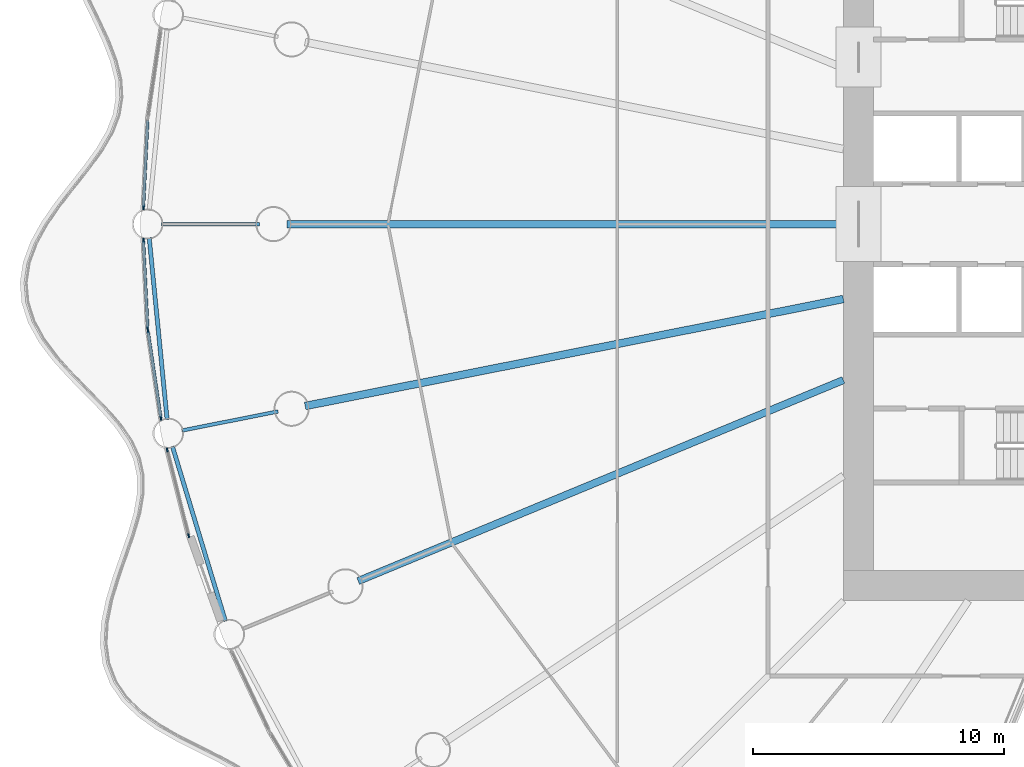
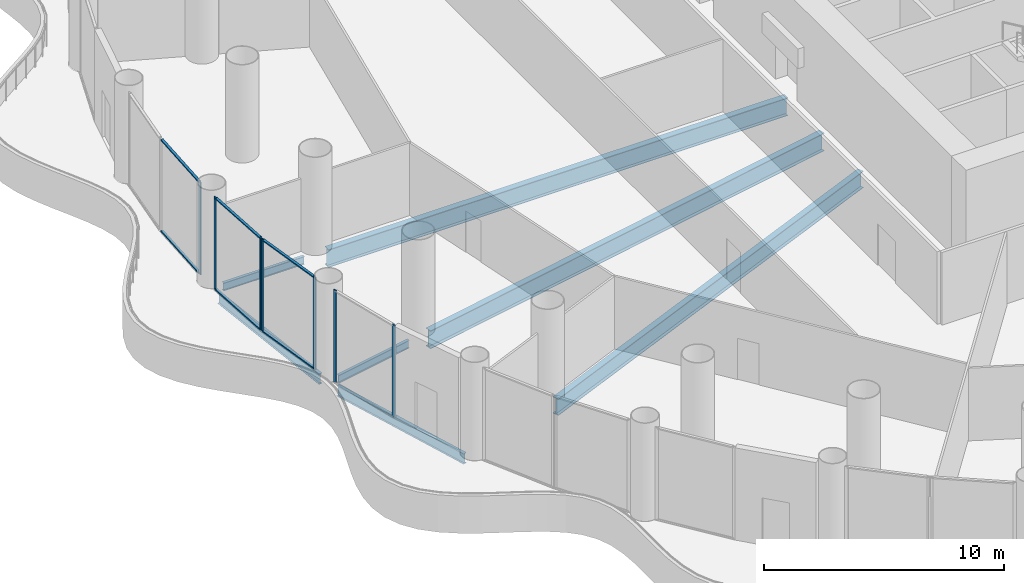
# One storey, part 7 of 36: 13 members, 7 beams, 4 elements without a shape of their own.
"""IFC4 building model written with IfcOpenShell, lengths in metres."""

from ifc_helpers import new_model, si_unit, direction, frame, origin, origin_2d, place, context, subcontext, project, spatial, rectangle, i_section, extrude, material, material_profile, profile_set, type_object, element, aggregate, save


model = new_model("IFC4")

# Units and contexts
model_context = context("Model", 3, precision=1e-05, world=origin(), true_north=direction((0.0, 1.0)))
body_context = subcontext(model_context, "Body", "Model", "MODEL_VIEW")
ifc_project = project(units=[si_unit("LENGTHUNIT", "METRE"), si_unit("AREAUNIT", "SQUARE_METRE"), si_unit("VOLUMEUNIT", "CUBIC_METRE"), si_unit("PLANEANGLEUNIT", "RADIAN"), si_unit("MASSUNIT", "GRAM", prefix="KILO")], contexts=[model_context])

# Site, building, storey
site_placement = place(None, origin())
site = spatial("IfcSite", under=ifc_project, at=site_placement, CompositionType="ELEMENT")
building_placement = place(site_placement, origin())
building = spatial("IfcBuilding", under=site, at=building_placement, Name="Corvane Civic Tower", CompositionType="ELEMENT")
storey_placement = place(building_placement, frame((0.0, 0.0, 17.0)))
storey = spatial("IfcBuildingStorey", under=building, at=storey_placement, Name="L03", CompositionType="ELEMENT", Elevation=17.0)

# Beams
ifc_material_1 = material(Name="Steel ASTM A992 Gr 50", Category="steel")
ifc_material_profile_1 = material_profile(ifc_material_1, i_section(OverallWidth=0.165771484375, OverallDepth=0.5283203125, WebThickness=0.009765625, FlangeThickness=0.013671875, at=origin_2d()), Name="W21X50")
ifc_profile_set_1 = profile_set([ifc_material_profile_1], Name="Steel ASTM A992 Gr 50")
beam_type_1 = type_object("IfcBeamType", Name="EDGE BEAM W21X50", PredefinedType="BEAM", material=ifc_profile_set_1)
for number, where, z_axis, x_axis, name in (
    (1, (-39.609375, -15.814208984375, -0.564208984375), (-0.290291633127, 0.956938225664, 0.0), (-0.956938225664, -0.290291633127, 0.0), "BM-L03-E23"),
    (2, (-41.93359375, -7.782958984375, -0.564208984375), (-0.097984225478, 0.995187967953, 0.0), (-0.995187967953, -0.097984225478, 0.0), "BM-L03-E24"),
):
    element("IfcBeam", number, at=place(storey_placement, frame(where, z_axis=z_axis, x_axis=x_axis)), inside=storey, type_object=beam_type_1, Name=name, PredefinedType="BEAM", context=body_context, shape_type="SweptSolid", body=[
        extrude(i_section(OverallWidth=0.165771484375, OverallDepth=0.5283203125, WebThickness=0.009765625, FlangeThickness=0.013671875, at=origin_2d()), origin(), (0.0, 0.0, 1.0), 7.2705078125),
    ])
ifc_material_2 = material(Name="Steel ASTM A992 Gr 50", Category="steel")
ifc_material_profile_2 = material_profile(ifc_material_2, i_section(OverallWidth=0.140380859375, OverallDepth=0.40380859375, WebThickness=0.007080078125, FlangeThickness=0.01123046875, at=origin_2d()), Name="W16X31")
ifc_profile_set_2 = profile_set([ifc_material_profile_2], Name="Steel ASTM A992 Gr 50")
beam_type_2 = type_object("IfcBeamType", Name="FLOOR GIRDER W16X31", PredefinedType="BEAM", material=ifc_profile_set_2)
for number, where, z_axis, x_axis, name in (
    (3, (-37.51513671875, -7.462158203125, -0.501953125), (-0.980777614264, -0.195128858343, 0.0), (0.195128858343, -0.980777614264, 0.0), "BM-L03-G24b"),
    (4, (-38.25, 0.0, -0.501953125), (-1.0, 0.0, 0.0), (0.0, -1.0, 0.0), "BM-L03-G25b"),
):
    element("IfcBeam", number, at=place(storey_placement, frame(where, z_axis=z_axis, x_axis=x_axis)), inside=storey, type_object=beam_type_2, Name=name, PredefinedType="BEAM", context=body_context, shape_type="SweptSolid", body=[
        extrude(i_section(OverallWidth=0.140380859375, OverallDepth=0.40380859375, WebThickness=0.007080078125, FlangeThickness=0.01123046875, at=origin_2d()), origin(), (0.0, 0.0, 1.0), 3.89990234375),
    ])
ifc_material_3 = material(Name="Steel ASTM A992 Gr 50", Category="steel")
ifc_material_profile_3 = material_profile(ifc_material_3, i_section(OverallWidth=0.2919921875, OverallDepth=0.845703125, WebThickness=0.015380859375, FlangeThickness=0.0244140625, at=origin_2d()), Name="W33X141")
ifc_profile_set_3 = profile_set([ifc_material_profile_3], Name="Steel ASTM A992 Gr 50")
beam_type_3 = type_object("IfcBeamType", Name="FLOOR GIRDER W33X141", PredefinedType="BEAM", material=ifc_profile_set_3)
beam_1_placement = place(storey_placement, frame((-15.0, -6.213134765625, -0.722900390625), z_axis=(-0.923875834355, -0.382692360381, 0.0), x_axis=(0.382692360381, -0.923875834355, 0.0)))
element("IfcBeam", 5, at=beam_1_placement, inside=storey, type_object=beam_type_3, Name="BM-L03-G23", PredefinedType="BEAM", context=body_context, shape_type="SweptSolid", body=[
    extrude(i_section(OverallWidth=0.2919921875, OverallDepth=0.845703125, WebThickness=0.015380859375, FlangeThickness=0.0244140625, at=origin_2d()), origin(), (0.0, 0.0, 1.0), 20.9140625),
])
ifc_material_4 = material(Name="Steel ASTM A992 Gr 50", Category="steel")
ifc_material_profile_4 = material_profile(ifc_material_4, i_section(OverallWidth=0.3046875, OverallDepth=0.911865234375, WebThickness=0.015869140625, FlangeThickness=0.02392578125, at=origin_2d()), Name="W36X150")
ifc_profile_set_4 = profile_set([ifc_material_profile_4], Name="Steel ASTM A992 Gr 50")
beam_type_4 = type_object("IfcBeamType", Name="FLOOR GIRDER W36X150", PredefinedType="BEAM", material=ifc_profile_set_4)
beam_2_placement = place(storey_placement, frame((-15.0, -2.983642578125, -0.755859375), z_axis=(-0.980785499679, -0.195089219638, 0.0), x_axis=(0.195089219638, -0.980785499679, 0.0)))
element("IfcBeam", 6, at=beam_2_placement, inside=storey, type_object=beam_type_4, Name="BM-L03-G24", PredefinedType="BEAM", context=body_context, shape_type="SweptSolid", body=[
    extrude(i_section(OverallWidth=0.3046875, OverallDepth=0.911865234375, WebThickness=0.015869140625, FlangeThickness=0.02392578125, at=origin_2d()), origin(), (0.0, 0.0, 1.0), 21.856201171875),
])
beam_3_placement = place(storey_placement, frame((-15.0, 0.0, -0.755859375), z_axis=(-1.0, 0.0, 0.0), x_axis=(0.0, -1.0, 0.0)))
element("IfcBeam", 7, at=beam_3_placement, inside=storey, type_object=beam_type_4, Name="BM-L03-G25", PredefinedType="BEAM", context=body_context, shape_type="SweptSolid", body=[
    extrude(i_section(OverallWidth=0.3046875, OverallDepth=0.911865234375, WebThickness=0.015869140625, FlangeThickness=0.02392578125, at=origin_2d()), origin(), (0.0, 0.0, 1.0), 22.14990234375),
])

# Curtain wall, members
ifc_material_5 = material(Name="Aluminium and glass", Category="aluminium")
curtain_wall_type = type_object("IfcCurtainWallType", Name="PODIUM-CW-P-RUN", PredefinedType="NOTDEFINED", material=ifc_material_5)
curtain_wall_1_placement = place(storey_placement, origin())
curtain_wall_1 = element("IfcCurtainWall", 8, at=curtain_wall_1_placement, inside=storey, type_object=curtain_wall_type, Name="PODI run L03-drum-23B", PredefinedType="NOTDEFINED")
ifc_material_6 = material(Name="Anodised aluminium bronze", Category="aluminium")
ifc_material_profile_5 = material_profile(ifc_material_6, rectangle(XDim=0.06005859375, YDim=0.159912109375, at=origin_2d()), Name="AL 60x160")
ifc_profile_set_5 = profile_set([ifc_material_profile_5], Name="Anodised aluminium bronze")
member_type_1 = type_object("IfcMemberType", Name="PODIUM-CWP-MULLION-60x160", PredefinedType="MULLION", material=ifc_profile_set_5)
member_1_placement = place(storey_placement, frame((-41.0732421875, -12.411865234375, 0.0), z_axis=(0.0, 0.0, 1.0), x_axis=(-0.970024070659, -0.243008852393, 0.0)))
member_1 = element("IfcMember", 9, at=member_1_placement, type_object=member_type_1, Name="CW-P mullion 1", PredefinedType="MULLION", context=body_context, shape_type="SweptSolid", body=[
    extrude(rectangle(XDim=0.06005859375, YDim=0.159912109375, at=origin_2d()), origin(), (0.0, 0.0, 1.0), 4.699951171875),
])
member_2_placement = place(storey_placement, frame((-41.9287109375, -8.99755859375, 0.0), z_axis=(0.0, 0.0, 1.0), x_axis=(-0.970024070659, -0.243008852393, 0.0)))
member_2 = element("IfcMember", 10, at=member_2_placement, type_object=member_type_1, Name="CW-P mullion 2", PredefinedType="MULLION", context=body_context, shape_type="SweptSolid", body=[
    extrude(rectangle(XDim=0.06005859375, YDim=0.159912109375, at=origin_2d()), origin(), (0.0, 0.0, 1.0), 4.699951171875),
])
aggregate(curtain_wall_1, [member_1, member_2])

curtain_wall_2_placement = place(storey_placement, origin())
curtain_wall_2 = element("IfcCurtainWall", 11, at=curtain_wall_2_placement, inside=storey, type_object=curtain_wall_type, Name="PODI run L03-drum-24A", PredefinedType="NOTDEFINED")
member_3_placement = place(storey_placement, frame((-42.18017578125, -7.732666015625, 0.0), z_axis=(0.0, 0.0, 1.0), x_axis=(-0.989178850608, -0.146714694252, 0.0)))
member_3 = element("IfcMember", 12, at=member_3_placement, type_object=member_type_1, Name="CW-P mullion 1", PredefinedType="MULLION", context=body_context, shape_type="SweptSolid", body=[
    extrude(rectangle(XDim=0.06005859375, YDim=0.159912109375, at=origin_2d()), origin(), (0.0, 0.0, 1.0), 4.699951171875),
])
member_4_placement = place(storey_placement, frame((-42.696533203125, -4.2509765625, 0.0), z_axis=(0.0, 0.0, 1.0), x_axis=(-0.989178850608, -0.146714694252, 0.0)))
member_4 = element("IfcMember", 13, at=member_4_placement, type_object=member_type_1, Name="CW-P mullion 2", PredefinedType="MULLION", context=body_context, shape_type="SweptSolid", body=[
    extrude(rectangle(XDim=0.06005859375, YDim=0.159912109375, at=origin_2d()), origin(), (0.0, 0.0, 1.0), 4.699951171875),
])

curtain_wall_3_placement = place(storey_placement, origin())
curtain_wall_3 = element("IfcCurtainWall", 14, at=curtain_wall_3_placement, inside=storey, type_object=curtain_wall_type, Name="PODI run L03-drum-24B", PredefinedType="NOTDEFINED")
member_5_placement = place(storey_placement, frame((-42.70556640625, -4.16064453125, 0.0), z_axis=(0.0, 0.0, 1.0), x_axis=(-0.998796316803, -0.04905015332, 0.0)))
member_5 = element("IfcMember", 15, at=member_5_placement, type_object=member_type_1, Name="CW-P mullion 1", PredefinedType="MULLION", context=body_context, shape_type="SweptSolid", body=[
    extrude(rectangle(XDim=0.06005859375, YDim=0.159912109375, at=origin_2d()), origin(), (0.0, 0.0, 1.0), 4.699951171875),
])
member_6_placement = place(storey_placement, frame((-42.878173828125, -0.644775390625, 0.0), z_axis=(0.0, 0.0, 1.0), x_axis=(-0.998796316803, -0.04905015332, 0.0)))
member_6 = element("IfcMember", 16, at=member_6_placement, type_object=member_type_1, Name="CW-P mullion 2", PredefinedType="MULLION", context=body_context, shape_type="SweptSolid", body=[
    extrude(rectangle(XDim=0.06005859375, YDim=0.159912109375, at=origin_2d()), origin(), (0.0, 0.0, 1.0), 4.699951171875),
])

# Curtain wall, member
curtain_wall_4_placement = place(storey_placement, origin())
curtain_wall_4 = element("IfcCurtainWall", 17, at=curtain_wall_4_placement, inside=storey, type_object=curtain_wall_type, Name="PODI run L03-drum-25A", PredefinedType="NOTDEFINED")
member_7_placement = place(storey_placement, frame((-42.878173828125, 0.644775390625, 0.0), z_axis=(0.0, 0.0, 1.0), x_axis=(-0.998796316803, 0.04905015332, 0.0)))
member_7 = element("IfcMember", 18, at=member_7_placement, type_object=member_type_1, Name="CW-P mullion 1", PredefinedType="MULLION", context=body_context, shape_type="SweptSolid", body=[
    extrude(rectangle(XDim=0.06005859375, YDim=0.159912109375, at=origin_2d()), origin(), (0.0, 0.0, 1.0), 4.699951171875),
])

# Member
ifc_material_7 = material(Name="Anodised aluminium bronze", Category="aluminium")
ifc_material_profile_6 = material_profile(ifc_material_7, rectangle(XDim=0.1201171875, YDim=0.06005859375, at=origin_2d()), Name="AL 120x60")
ifc_profile_set_6 = profile_set([ifc_material_profile_6], Name="Anodised aluminium bronze")
member_type_2 = type_object("IfcMemberType", Name="PODIUM-CWP-TRANSOM-60x120", PredefinedType="USERDEFINED", material=ifc_profile_set_6)
member_8_placement = place(storey_placement, frame((-42.1845703125, -7.703125, 0.030029296875), z_axis=(-0.146704660039, 0.989180338828, 0.0), x_axis=(-0.989180338828, -0.146704660039, 0.0)))
member_8 = element("IfcMember", 19, at=member_8_placement, type_object=member_type_2, Name="CW-P transom 1.1", ObjectType="TRANSOM", PredefinedType="USERDEFINED", context=body_context, shape_type="SweptSolid", body=[
    extrude(rectangle(XDim=0.1201171875, YDim=0.06005859375, at=origin_2d()), origin(), (0.0, 0.0, 1.0), 3.459716796875),
])

member_9_placement = place(storey_placement, frame((-42.1845703125, -7.703125, 4.669921875), z_axis=(-0.146704660039, 0.989180338828, 0.0), x_axis=(-0.989180338828, -0.146704660039, 0.0)))
member_9 = element("IfcMember", 20, at=member_9_placement, type_object=member_type_2, Name="CW-P transom 1.2", ObjectType="TRANSOM", PredefinedType="USERDEFINED", context=body_context, shape_type="SweptSolid", body=[
    extrude(rectangle(XDim=0.1201171875, YDim=0.06005859375, at=origin_2d()), origin(), (0.0, 0.0, 1.0), 3.459716796875),
])

aggregate(curtain_wall_2, [member_3, member_4, member_8, member_9])

member_10_placement = place(storey_placement, frame((-42.70703125, -4.130615234375, 0.030029296875), z_axis=(-0.049040182301, 0.998796806423, 0.0), x_axis=(-0.998796806423, -0.049040182301, 0.0)))
member_10 = element("IfcMember", 21, at=member_10_placement, type_object=member_type_2, Name="CW-P transom 1.1", ObjectType="TRANSOM", PredefinedType="USERDEFINED", context=body_context, shape_type="SweptSolid", body=[
    extrude(rectangle(XDim=0.1201171875, YDim=0.06005859375, at=origin_2d()), origin(), (0.0, 0.0, 1.0), 3.4599609375),
])

member_11_placement = place(storey_placement, frame((-42.70703125, -4.130615234375, 4.669921875), z_axis=(-0.049040182301, 0.998796806423, 0.0), x_axis=(-0.998796806423, -0.049040182301, 0.0)))
member_11 = element("IfcMember", 22, at=member_11_placement, type_object=member_type_2, Name="CW-P transom 1.2", ObjectType="TRANSOM", PredefinedType="USERDEFINED", context=body_context, shape_type="SweptSolid", body=[
    extrude(rectangle(XDim=0.1201171875, YDim=0.06005859375, at=origin_2d()), origin(), (0.0, 0.0, 1.0), 3.4599609375),
])

aggregate(curtain_wall_3, [member_5, member_6, member_10, member_11])

member_12_placement = place(storey_placement, frame((-42.876708984375, 0.6748046875, 0.030029296875), z_axis=(0.049040182301, 0.998796806423, 0.0), x_axis=(-0.998796806423, 0.049040182301, 0.0)))
member_12 = element("IfcMember", 23, at=member_12_placement, type_object=member_type_2, Name="CW-P transom 1.1", ObjectType="TRANSOM", PredefinedType="USERDEFINED", context=body_context, shape_type="SweptSolid", body=[
    extrude(rectangle(XDim=0.1201171875, YDim=0.06005859375, at=origin_2d()), origin(), (0.0, 0.0, 1.0), 3.4599609375),
])

member_13_placement = place(storey_placement, frame((-42.876708984375, 0.6748046875, 4.669921875), z_axis=(0.049040182301, 0.998796806423, 0.0), x_axis=(-0.998796806423, 0.049040182301, 0.0)))
member_13 = element("IfcMember", 24, at=member_13_placement, type_object=member_type_2, Name="CW-P transom 1.2", ObjectType="TRANSOM", PredefinedType="USERDEFINED", context=body_context, shape_type="SweptSolid", body=[
    extrude(rectangle(XDim=0.1201171875, YDim=0.06005859375, at=origin_2d()), origin(), (0.0, 0.0, 1.0), 3.4599609375),
])

aggregate(curtain_wall_4, [member_7, member_12, member_13])

save(model, "model.ifc")
